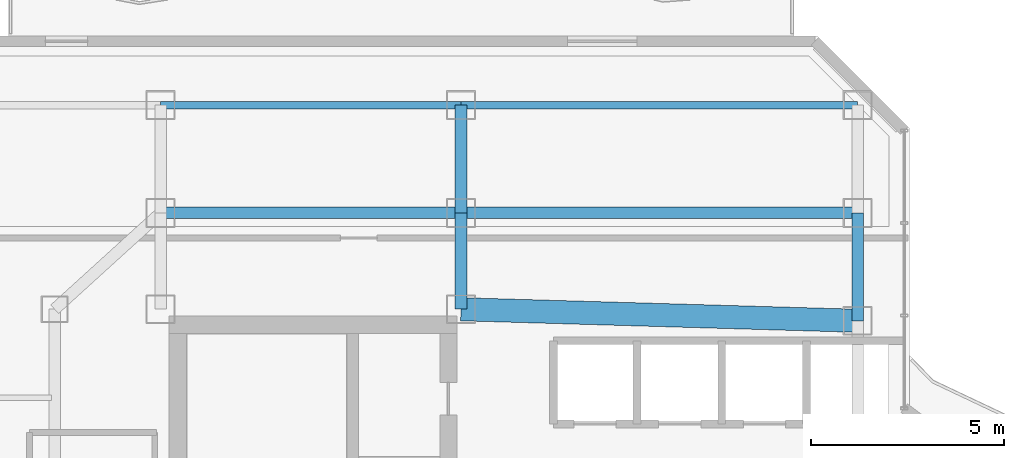
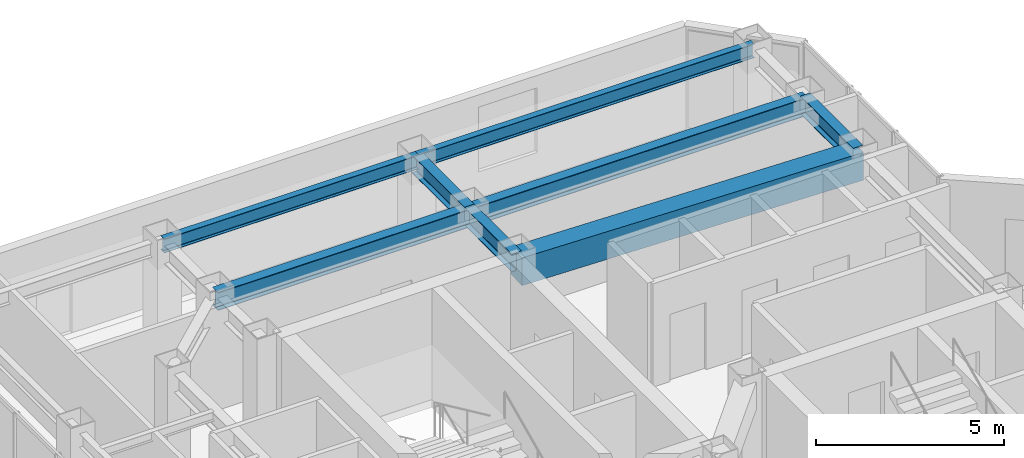
# One storey, part 16 of 24: 8 beams.
"""IFC4 building model written with IfcOpenShell, lengths in metres."""

from ifc_helpers import new_model, si_unit, direction, frame, origin, origin_2d, place, context, subcontext, project, spatial, rectangle, i_section, extrude, material, material_profile, profile_set, type_object, element, save


model = new_model("IFC4")

# Units and contexts
model_context = context("Model", 3, precision=1e-05, world=origin(), true_north=direction((0.0, 1.0)))
body_context = subcontext(model_context, "Body", "Model", "MODEL_VIEW")
ifc_project = project(units=[si_unit("LENGTHUNIT", "METRE"), si_unit("AREAUNIT", "SQUARE_METRE"), si_unit("VOLUMEUNIT", "CUBIC_METRE"), si_unit("PLANEANGLEUNIT", "RADIAN"), si_unit("MASSUNIT", "GRAM", prefix="KILO")], contexts=[model_context])

# Site, building, storey
site_placement = place(None, origin())
site = spatial("IfcSite", under=ifc_project, at=site_placement, CompositionType="ELEMENT")
building_placement = place(site_placement, origin())
building = spatial("IfcBuilding", under=site, at=building_placement, Name="Hatsunagi Terrace Concourse", CompositionType="ELEMENT")
storey_placement = place(building_placement, frame((0.0, 0.0, 191.550048828125)))
storey = spatial("IfcBuildingStorey", under=building, at=storey_placement, Name="L50", CompositionType="ELEMENT", Elevation=191.550048828125)

# Beams
ifc_material_1 = material(Name="Concrete Fc42", Category="concrete")
ifc_material_profile_1 = material_profile(ifc_material_1, rectangle(XDim=0.60009765625, YDim=0.89990234375, at=origin_2d()), Name="RC-600x900")
ifc_profile_set_1 = profile_set([ifc_material_profile_1], Name="Concrete Fc42")
beam_type_1 = type_object("IfcBeamType", Name="CoreCouplingBeam_RC_600x900", PredefinedType="BEAM", material=ifc_profile_set_1)
beam_1_placement = place(storey_placement, frame((33.35009765625, 43.300048828125, 2.89990234375), z_axis=(0.999575947545, -0.029119153303, 0.0), x_axis=(0.029119153303, 0.999575947545, 0.0)))
element("IfcBeam", 1, at=beam_1_placement, inside=storey, type_object=beam_type_1, Name="Beam CB-03 CB-L50-2", PredefinedType="BEAM", context=body_context, shape_type="SweptSolid", body=[
    extrude(rectangle(XDim=0.60009765625, YDim=0.89990234375, at=origin_2d()), origin(), (0.0, 0.0, 1.0), 10.30419921875),
])
ifc_material_2 = material(Name="Steel SN490B", Category="steel")
ifc_material_profile_2 = material_profile(ifc_material_2, i_section(OverallWidth=0.300048828125, OverallDepth=0.587890625, WebThickness=0.011962890625, FlangeThickness=0.02001953125, FilletRadius=0.01806640625, at=origin_2d()), Name="H-588x300x12x20")
ifc_profile_set_2 = profile_set([ifc_material_profile_2], Name="Steel SN490B")
beam_type_2 = type_object("IfcBeamType", Name="OfficeHighGirder_H_588x300", PredefinedType="BEAM", material=ifc_profile_set_2)
beam_2_placement = place(storey_placement, frame((33.35009765625, 43.300048828125, 3.055908203125), z_axis=(0.0, 1.0, 0.0), x_axis=(-1.0, 0.0, 0.0)))
element("IfcBeam", 2, at=beam_2_placement, inside=storey, type_object=beam_type_2, Name="Beam G-06 BM-L50-CN2", PredefinedType="BEAM", context=body_context, shape_type="SweptSolid", body=[
    extrude(i_section(OverallWidth=0.300048828125, OverallDepth=0.587890625, WebThickness=0.011962890625, FlangeThickness=0.02001953125, FilletRadius=0.01806640625, at=origin_2d()), origin(), (0.0, 0.0, 1.0), 2.5),
])
beam_3_placement = place(storey_placement, frame((43.64990234375, 43.0, 3.055908203125), z_axis=(0.0, 1.0, 0.0), x_axis=(-1.0, 0.0, 0.0)))
element("IfcBeam", 3, at=beam_3_placement, inside=storey, type_object=beam_type_2, Name="Beam G-06 BM-L50-CN3", PredefinedType="BEAM", context=body_context, shape_type="SweptSolid", body=[
    extrude(i_section(OverallWidth=0.300048828125, OverallDepth=0.587890625, WebThickness=0.011962890625, FlangeThickness=0.02001953125, FilletRadius=0.01806640625, at=origin_2d()), origin(), (0.0, 0.0, 1.0), 2.800048828125),
])
beam_4_placement = place(storey_placement, frame((25.550048828125, 45.800048828125, 3.055908203125), z_axis=(1.0, 0.0, 0.0), x_axis=(0.0, 1.0, 0.0)))
element("IfcBeam", 4, at=beam_4_placement, inside=storey, type_object=beam_type_2, Name="Beam G-06 BM-L50-CNEW1", PredefinedType="BEAM", context=body_context, shape_type="SweptSolid", body=[
    extrude(i_section(OverallWidth=0.300048828125, OverallDepth=0.587890625, WebThickness=0.011962890625, FlangeThickness=0.02001953125, FilletRadius=0.01806640625, at=origin_2d()), origin(), (0.0, 0.0, 1.0), 7.800048828125),
])
beam_5_placement = place(storey_placement, frame((33.35009765625, 45.800048828125, 3.055908203125), z_axis=(1.0, 0.0, 0.0), x_axis=(0.0, 1.0, 0.0)))
element("IfcBeam", 5, at=beam_5_placement, inside=storey, type_object=beam_type_2, Name="Beam G-06 BM-L50-CNEW2", PredefinedType="BEAM", context=body_context, shape_type="SweptSolid", body=[
    extrude(i_section(OverallWidth=0.300048828125, OverallDepth=0.587890625, WebThickness=0.011962890625, FlangeThickness=0.02001953125, FilletRadius=0.01806640625, at=origin_2d()), origin(), (0.0, 0.0, 1.0), 10.2998046875),
])
beam_6_placement = place(storey_placement, frame((33.35009765625, 45.800048828125, 3.055908203125), z_axis=(0.0, 1.0, 0.0), x_axis=(-1.0, 0.0, 0.0)))
element("IfcBeam", 6, at=beam_6_placement, inside=storey, type_object=beam_type_2, Name="Beam G-06 BM-L50-KN-WN5", PredefinedType="BEAM", context=body_context, shape_type="SweptSolid", body=[
    extrude(i_section(OverallWidth=0.300048828125, OverallDepth=0.587890625, WebThickness=0.011962890625, FlangeThickness=0.02001953125, FilletRadius=0.01806640625, at=origin_2d()), origin(), (0.0, 0.0, 1.0), 2.800048828125),
])
ifc_material_3 = material(Name="Steel SN490B", Category="steel")
ifc_material_profile_3 = material_profile(ifc_material_3, i_section(OverallWidth=0.199951171875, OverallDepth=0.449951171875, WebThickness=0.009033203125, FlangeThickness=0.013916015625, FilletRadius=0.01611328125, at=origin_2d()), Name="H-450x200x9x14")
ifc_profile_set_3 = profile_set([ifc_material_profile_3], Name="Steel SN490B")
beam_type_3 = type_object("IfcBeamType", Name="PerimeterSpandrel_H_450x200", PredefinedType="SPANDREL", material=ifc_profile_set_3)
beam_7_placement = place(storey_placement, frame((25.550048828125, 48.60009765625, 3.125), z_axis=(1.0, 0.0, 0.0), x_axis=(0.0, 1.0, 0.0)))
element("IfcBeam", 7, at=beam_7_placement, inside=storey, type_object=beam_type_3, Name="Beam SP-02 BM-L50-WN-25", PredefinedType="SPANDREL", context=body_context, shape_type="SweptSolid", body=[
    extrude(i_section(OverallWidth=0.199951171875, OverallDepth=0.449951171875, WebThickness=0.009033203125, FlangeThickness=0.013916015625, FilletRadius=0.01611328125, at=origin_2d()), origin(), (0.0, 0.0, 1.0), 7.800048828125),
])
beam_8_placement = place(storey_placement, frame((33.35009765625, 48.60009765625, 3.125), z_axis=(1.0, 0.0, 0.0), x_axis=(0.0, 1.0, 0.0)))
element("IfcBeam", 8, at=beam_8_placement, inside=storey, type_object=beam_type_3, Name="Beam SP-02 BM-L50-WN-33", PredefinedType="SPANDREL", context=body_context, shape_type="SweptSolid", body=[
    extrude(i_section(OverallWidth=0.199951171875, OverallDepth=0.449951171875, WebThickness=0.009033203125, FlangeThickness=0.013916015625, FilletRadius=0.01611328125, at=origin_2d()), origin(), (0.0, 0.0, 1.0), 10.2998046875),
])

save(model, "model.ifc")
